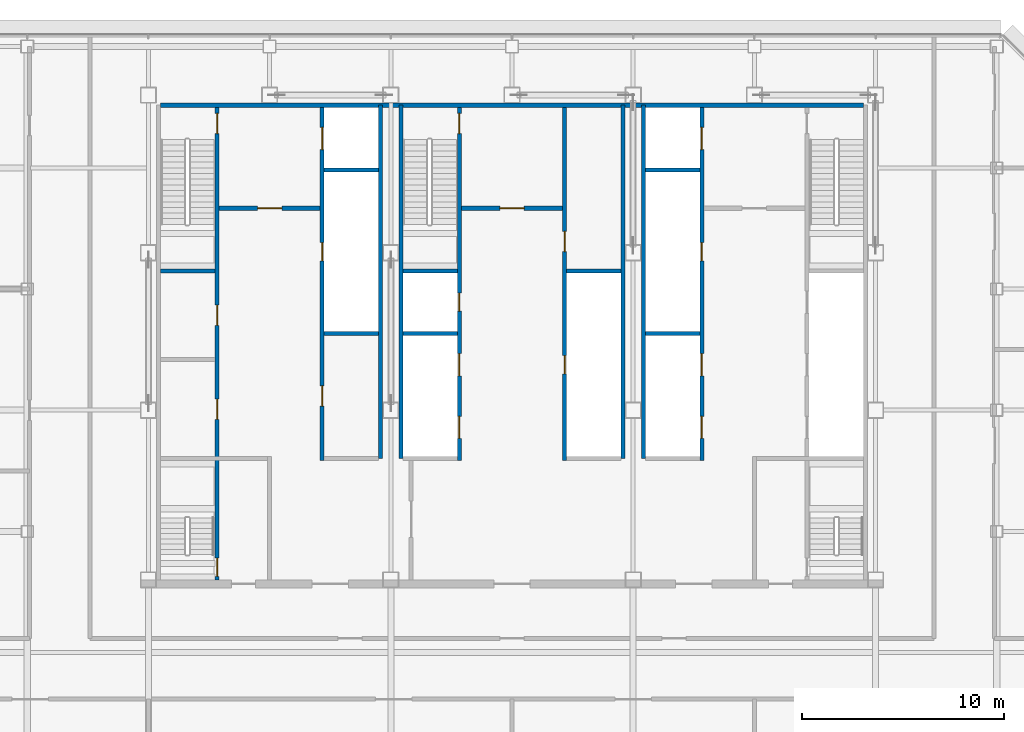
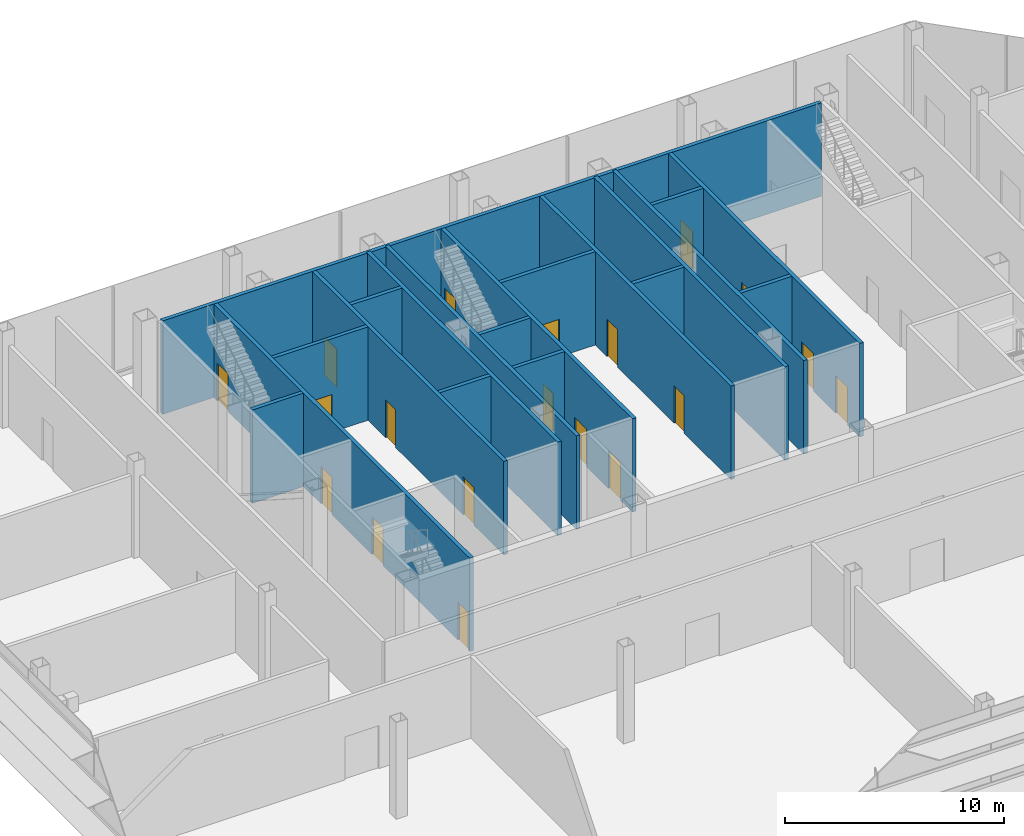
# One storey, part 19 of 25: 20 walls, 19 doors, 19 openings.
"""IFC4 building model written with IfcOpenShell, lengths in metres."""

from ifc_helpers import new_model, si_unit, direction, frame, frame_2d, origin, place, context, subcontext, project, spatial, rectangle, extrude, material, layer, layer_set, type_object, element, fill, save


model = new_model("IFC4")

# Units and contexts
model_context = context("Model", 3, precision=1e-05, world=origin(), true_north=direction((0.0, 1.0)))
body_context = subcontext(model_context, "Body", "Model", "MODEL_VIEW")
ifc_project = project(units=[si_unit("LENGTHUNIT", "METRE"), si_unit("AREAUNIT", "SQUARE_METRE"), si_unit("VOLUMEUNIT", "CUBIC_METRE"), si_unit("PLANEANGLEUNIT", "RADIAN"), si_unit("MASSUNIT", "GRAM", prefix="KILO")], contexts=[model_context])

# Site, building, storey
site_placement = place(None, origin())
site = spatial("IfcSite", under=ifc_project, at=site_placement, CompositionType="ELEMENT")
building_placement = place(site_placement, origin())
building = spatial("IfcBuilding", under=site, at=building_placement, Name="Sorahane Residences", CompositionType="ELEMENT")
storey_placement = place(building_placement, frame((0.0, 0.0, 210.0)))
storey = spatial("IfcBuildingStorey", under=building, at=storey_placement, Name="L49", CompositionType="ELEMENT", Elevation=210.0)

# Walls
ifc_material_1 = material(Name="Concrete C30", Category="concrete")
ifc_layer_1 = layer(ifc_material_1, 0.199951171875)
ifc_layer_set_1 = layer_set([ifc_layer_1], Name="Core face wall 200 EI 180")
wall_type_1 = type_object("IfcWallType", Name="Core face wall 200 EI 180", PredefinedType="SOLIDWALL", material=ifc_layer_set_1)
wall_1_placement = place(storey_placement, frame((6.60009765625, 45.10009765625, 0.0), z_axis=(0.0, 0.0, 1.0), x_axis=(1.0, 0.0, 0.0)))
element("IfcWall", 1, at=wall_1_placement, inside=storey, type_object=wall_type_1, Name="L49 core face wall", PredefinedType="SOLIDWALL", context=body_context, shape_type="SweptSolid", body=[
    extrude(rectangle(XDim=34.7998046875, YDim=0.199951171875, at=frame_2d((17.39990234375, 0.0))), origin(), (0.0, 0.0, 1.0), 5.219970703125),
])
for number, where, z_axis, x_axis, name in (
    (2, (17.5, 27.60009765625, 0.0), (0.0, 0.0, 1.0), (0.0, 1.0, 0.0), "L49 core face wall"),
    (3, (18.5, 27.60009765625, 0.0), (0.0, 0.0, 1.0), (0.0, 1.0, 0.0), "L49 core face wall"),
    (4, (29.5, 27.60009765625, 0.0), (0.0, 0.0, 1.0), (0.0, 1.0, 0.0), "L49 core face wall"),
    (5, (30.5, 27.60009765625, 0.0), (0.0, 0.0, 1.0), (0.0, 1.0, 0.0), "L49 core face wall"),
):
    element("IfcWall", number, at=place(storey_placement, frame(where, z_axis=z_axis, x_axis=x_axis)), inside=storey, type_object=wall_type_1, Name=name, PredefinedType="SOLIDWALL", context=body_context, shape_type="SweptSolid", body=[
        extrude(rectangle(XDim=17.5, YDim=0.199951171875, at=frame_2d((8.75, 0.0))), origin(), (0.0, 0.0, 1.0), 5.219970703125),
    ])

# Wall, opening, door
ifc_material_2 = material(Name="Concrete C30", Category="concrete")
ifc_layer_2 = layer(ifc_material_2, 0.199951171875)
ifc_layer_set_2 = layer_set([ifc_layer_2], Name="Front room wall 200 EI 120")
wall_type_2 = type_object("IfcWallType", Name="Front room wall 200 EI 120", PredefinedType="PARTITIONING", material=ifc_layer_set_2)
wall_2_placement = place(storey_placement, frame((21.5, 40.0, 0.0), z_axis=(0.0, 0.0, 1.0), x_axis=(1.0, 0.0, 0.0)))
wall_2 = element("IfcWall", 6, at=wall_2_placement, inside=storey, type_object=wall_type_2, Name="L49 front room wall", PredefinedType="PARTITIONING", context=body_context, shape_type="SweptSolid", body=[
    extrude(rectangle(XDim=5.0, YDim=0.199951171875, at=frame_2d((2.5, 0.0))), origin(), (0.0, 0.0, 1.0), 5.219970703125),
])
opening_1_placement = place(wall_2_placement, frame((1.89990234375, 0.0, 0.0)))
opening_1 = element("IfcOpeningElement", 7, at=opening_1_placement, cuts=wall_2, Name="Opening L49-C08", PredefinedType="OPENING", context=body_context, shape_type="SweptSolid", body=[
    extrude(rectangle(XDim=1.199951171875, YDim=2.10009765625, at=frame_2d((0.60009765625, 1.050048828125))), frame((0.0, 0.10986328125, 0.0), z_axis=(0.0, -1.0, 0.0), x_axis=(1.0, 0.0, 0.0)), (0.0, 0.0, 1.0), 0.219970703125),
])
ifc_material_3 = material(Name="Steel", Category="steel")
door_type_1 = type_object("IfcDoorType", Name="Front room door 1200x2100 FD120", OperationType="NOTDEFINED", PredefinedType="DOOR", material=ifc_material_3)
door_1_placement = place(opening_1_placement, frame((1.199951171875, 0.0, 0.0), z_axis=(0.0, 0.0, 1.0), x_axis=(-1.0, 0.0, 0.0)))
door_1 = element("IfcDoor", 8, at=door_1_placement, inside=storey, type_object=door_type_1, Name="Front room door Stair S3 vestibule L49", OperationType="DOUBLE_DOOR_SINGLE_SWING", OverallHeight=2.10009765625, OverallWidth=1.199951171875, PredefinedType="DOOR", context=body_context, shape_type="SweptSolid", body=[
    extrude(rectangle(XDim=1.199951171875, YDim=2.10009765625, at=frame_2d((0.60009765625, 1.050048828125))), frame((0.0, 0.02490234375, 0.0), z_axis=(0.0, -1.0, 0.0), x_axis=(1.0, 0.0, 0.0)), (0.0, 0.0, 1.0), 0.050048828125),
])
fill(opening_1, door_1)

wall_3_placement = place(storey_placement, frame((9.5, 40.0, 0.0), z_axis=(0.0, 0.0, 1.0), x_axis=(1.0, 0.0, 0.0)))
wall_3 = element("IfcWall", 9, at=wall_3_placement, inside=storey, type_object=wall_type_2, Name="L49 front room wall", PredefinedType="PARTITIONING", context=body_context, shape_type="SweptSolid", body=[
    extrude(rectangle(XDim=5.0, YDim=0.199951171875, at=frame_2d((2.5, 0.0))), origin(), (0.0, 0.0, 1.0), 5.219970703125),
])
opening_2_placement = place(wall_3_placement, frame((1.89990234375, 0.0, 0.0)))
opening_2 = element("IfcOpeningElement", 10, at=opening_2_placement, cuts=wall_3, Name="Opening L49-C07", PredefinedType="OPENING", context=body_context, shape_type="SweptSolid", body=[
    extrude(rectangle(XDim=1.199951171875, YDim=2.10009765625, at=frame_2d((0.60009765625, 1.050048828125))), frame((0.0, 0.10986328125, 0.0), z_axis=(0.0, -1.0, 0.0), x_axis=(1.0, 0.0, 0.0)), (0.0, 0.0, 1.0), 0.219970703125),
])
door_2_placement = place(opening_2_placement, frame((1.199951171875, 0.0, 0.0), z_axis=(0.0, 0.0, 1.0), x_axis=(-1.0, 0.0, 0.0)))
door_2 = element("IfcDoor", 11, at=door_2_placement, inside=storey, type_object=door_type_1, Name="Front room door Firefighting lobby FF1 front room L49", OperationType="DOUBLE_DOOR_SINGLE_SWING", OverallHeight=2.10009765625, OverallWidth=1.199951171875, PredefinedType="DOOR", context=body_context, shape_type="SweptSolid", body=[
    extrude(rectangle(XDim=1.199951171875, YDim=2.10009765625, at=frame_2d((0.60009765625, 1.050048828125))), frame((0.0, 0.02490234375, 0.0), z_axis=(0.0, -1.0, 0.0), x_axis=(1.0, 0.0, 0.0)), (0.0, 0.0, 1.0), 0.050048828125),
])
fill(opening_2, door_2)

# Wall, openings, doors
ifc_material_4 = material(Name="Concrete C30", Category="concrete")
ifc_layer_3 = layer(ifc_material_4, 0.199951171875)
ifc_layer_set_3 = layer_set([ifc_layer_3], Name="Lift shaft wall 200 EI 120")
wall_type_3 = type_object("IfcWallType", Name="Lift shaft wall 200 EI 120", PredefinedType="SOLIDWALL", material=ifc_layer_set_3)
wall_4_placement = place(storey_placement, frame((14.60009765625, 27.5, 0.0), z_axis=(0.0, 0.0, 1.0), x_axis=(0.0, 1.0, 0.0)))
wall_4 = element("IfcWall", 12, at=wall_4_placement, inside=storey, type_object=wall_type_3, Name="L49 lift shaft wall", PredefinedType="SOLIDWALL", context=body_context, shape_type="SweptSolid", body=[
    extrude(rectangle(XDim=17.5, YDim=0.199951171875, at=frame_2d((8.75, 0.0))), origin(), (0.0, 0.0, 1.0), 5.219970703125),
])
opening_3_placement = place(wall_4_placement, frame((15.39990234375, 0.0, 0.0)))
opening_3 = element("IfcOpeningElement", 13, at=opening_3_placement, cuts=wall_4, Name="Opening L49-C18", PredefinedType="OPENING", context=body_context, shape_type="SweptSolid", body=[
    extrude(rectangle(XDim=1.10009765625, YDim=2.10009765625, at=frame_2d((0.550048828125, 1.050048828125))), frame((0.0, 0.10986328125, 0.0), z_axis=(0.0, -1.0, 0.0), x_axis=(1.0, 0.0, 0.0)), (0.0, 0.0, 1.0), 0.219970703125),
])
opening_4_placement = place(wall_4_placement, frame((2.699951171875, 0.0, 0.0)))
opening_4 = element("IfcOpeningElement", 14, at=opening_4_placement, cuts=wall_4, Name="Opening L49-C19", PredefinedType="OPENING", context=body_context, shape_type="SweptSolid", body=[
    extrude(rectangle(XDim=1.0, YDim=2.10009765625, at=frame_2d((0.5, 1.050048828125))), frame((0.0, 0.10986328125, 0.0), z_axis=(0.0, -1.0, 0.0), x_axis=(1.0, 0.0, 0.0)), (0.0, 0.0, 1.0), 0.219970703125),
])
opening_5_placement = place(wall_4_placement, frame((9.89990234375, 0.0, 0.0)))
opening_5 = element("IfcOpeningElement", 15, at=opening_5_placement, cuts=wall_4, Name="Opening L49-C27", PredefinedType="OPENING", context=body_context, shape_type="SweptSolid", body=[
    extrude(rectangle(XDim=0.89990234375, YDim=2.10009765625, at=frame_2d((0.449951171875, 1.050048828125))), frame((0.0, 0.10986328125, 0.0), z_axis=(0.0, -1.0, 0.0), x_axis=(1.0, 0.0, 0.0)), (0.0, 0.0, 1.0), 0.219970703125),
])
ifc_material_5 = material(Name="Aluminium and stainless steel", Category="steel")
door_type_2 = type_object("IfcDoorType", Name="Lift landing door 1100x2100 E 60", OperationType="NOTDEFINED", PredefinedType="DOOR", material=ifc_material_5)
door_3_placement = place(opening_3_placement, origin())
door_3 = element("IfcDoor", 16, at=door_3_placement, inside=storey, type_object=door_type_2, Name="Lift landing door FF1 L49", OperationType="DOUBLE_DOOR_SLIDING", OverallHeight=2.10009765625, OverallWidth=1.10009765625, PredefinedType="DOOR", context=body_context, shape_type="SweptSolid", body=[
    extrude(rectangle(XDim=1.10009765625, YDim=2.10009765625, at=frame_2d((0.550048828125, 1.050048828125))), frame((0.0, 0.02490234375, 0.0), z_axis=(0.0, -1.0, 0.0), x_axis=(1.0, 0.0, 0.0)), (0.0, 0.0, 1.0), 0.050048828125),
])
fill(opening_3, door_3)
ifc_material_6 = material(Name="Steel", Category="steel")
door_type_3 = type_object("IfcDoorType", Name="Riser door 900x2100 FD120", OperationType="NOTDEFINED", PredefinedType="DOOR", material=ifc_material_6)
door_4_placement = place(opening_5_placement, origin())
door_4 = element("IfcDoor", 17, at=door_4_placement, inside=storey, type_object=door_type_3, Name="Riser door R1 L49", OperationType="SINGLE_SWING_LEFT", OverallHeight=2.10009765625, OverallWidth=0.89990234375, PredefinedType="DOOR", context=body_context, shape_type="SweptSolid", body=[
    extrude(rectangle(XDim=0.89990234375, YDim=2.10009765625, at=frame_2d((0.449951171875, 1.050048828125))), frame((0.0, 0.02490234375, 0.0), z_axis=(0.0, -1.0, 0.0), x_axis=(1.0, 0.0, 0.0)), (0.0, 0.0, 1.0), 0.050048828125),
])
fill(opening_5, door_4)
ifc_material_7 = material(Name="Steel", Category="steel")
door_type_4 = type_object("IfcDoorType", Name="Service room door 1000x2100 FD60", OperationType="NOTDEFINED", PredefinedType="DOOR", material=ifc_material_7)
door_5_placement = place(opening_4_placement, frame((1.0, 0.0, 0.0), z_axis=(0.0, 0.0, 1.0), x_axis=(-1.0, 0.0, 0.0)))
door_5 = element("IfcDoor", 18, at=door_5_placement, inside=storey, type_object=door_type_4, Name="Service room door Games room L49", OperationType="SINGLE_SWING_RIGHT", OverallHeight=2.10009765625, OverallWidth=1.0, PredefinedType="DOOR", context=body_context, shape_type="SweptSolid", body=[
    extrude(rectangle(XDim=1.0, YDim=2.10009765625, at=frame_2d((0.5, 1.050048828125))), frame((0.0, 0.02490234375, 0.0), z_axis=(0.0, -1.0, 0.0), x_axis=(1.0, 0.0, 0.0)), (0.0, 0.0, 1.0), 0.050048828125),
])
fill(opening_4, door_5)

wall_5_placement = place(storey_placement, frame((33.39990234375, 27.5, 0.0), z_axis=(0.0, 0.0, 1.0), x_axis=(0.0, 1.0, 0.0)))
wall_5 = element("IfcWall", 19, at=wall_5_placement, inside=storey, type_object=wall_type_3, Name="L49 lift shaft wall", PredefinedType="SOLIDWALL", context=body_context, shape_type="SweptSolid", body=[
    extrude(rectangle(XDim=17.5, YDim=0.199951171875, at=frame_2d((8.75, 0.0))), origin(), (0.0, 0.0, 1.0), 5.219970703125),
])
opening_6_placement = place(wall_5_placement, frame((1.10009765625, 0.0, 0.0)))
opening_6 = element("IfcOpeningElement", 20, at=opening_6_placement, cuts=wall_5, Name="Opening L49-C15", PredefinedType="OPENING", context=body_context, shape_type="SweptSolid", body=[
    extrude(rectangle(XDim=1.10009765625, YDim=2.10009765625, at=frame_2d((0.550048828125, 1.050048828125))), frame((0.0, 0.10986328125, 0.0), z_axis=(0.0, -1.0, 0.0), x_axis=(1.0, 0.0, 0.0)), (0.0, 0.0, 1.0), 0.219970703125),
])
opening_7_placement = place(wall_5_placement, frame((4.199951171875, 0.0, 0.0)))
opening_7 = element("IfcOpeningElement", 21, at=opening_7_placement, cuts=wall_5, Name="Opening L49-C16", PredefinedType="OPENING", context=body_context, shape_type="SweptSolid", body=[
    extrude(rectangle(XDim=1.10009765625, YDim=2.10009765625, at=frame_2d((0.550048828125, 1.050048828125))), frame((0.0, 0.10986328125, 0.0), z_axis=(0.0, -1.0, 0.0), x_axis=(1.0, 0.0, 0.0)), (0.0, 0.0, 1.0), 0.219970703125),
])
opening_8_placement = place(wall_5_placement, frame((15.39990234375, 0.0, 0.0)))
opening_8 = element("IfcOpeningElement", 22, at=opening_8_placement, cuts=wall_5, Name="Opening L49-C17", PredefinedType="OPENING", context=body_context, shape_type="SweptSolid", body=[
    extrude(rectangle(XDim=1.10009765625, YDim=2.10009765625, at=frame_2d((0.550048828125, 1.050048828125))), frame((0.0, 0.10986328125, 0.0), z_axis=(0.0, -1.0, 0.0), x_axis=(1.0, 0.0, 0.0)), (0.0, 0.0, 1.0), 0.219970703125),
])
opening_9_placement = place(wall_5_placement, frame((9.89990234375, 0.0, 0.0)))
opening_9 = element("IfcOpeningElement", 23, at=opening_9_placement, cuts=wall_5, Name="Opening L49-C28", PredefinedType="OPENING", context=body_context, shape_type="SweptSolid", body=[
    extrude(rectangle(XDim=0.89990234375, YDim=2.10009765625, at=frame_2d((0.449951171875, 1.050048828125))), frame((0.0, 0.10986328125, 0.0), z_axis=(0.0, -1.0, 0.0), x_axis=(1.0, 0.0, 0.0)), (0.0, 0.0, 1.0), 0.219970703125),
])
door_6_placement = place(opening_6_placement, origin())
door_6 = element("IfcDoor", 24, at=door_6_placement, inside=storey, type_object=door_type_2, Name="Lift landing door HR4 L49", OperationType="DOUBLE_DOOR_SLIDING", OverallHeight=2.10009765625, OverallWidth=1.10009765625, PredefinedType="DOOR", context=body_context, shape_type="SweptSolid", body=[
    extrude(rectangle(XDim=1.10009765625, YDim=2.10009765625, at=frame_2d((0.550048828125, 1.050048828125))), frame((0.0, 0.02490234375, 0.0), z_axis=(0.0, -1.0, 0.0), x_axis=(1.0, 0.0, 0.0)), (0.0, 0.0, 1.0), 0.050048828125),
])
fill(opening_6, door_6)
door_7_placement = place(opening_7_placement, origin())
door_7 = element("IfcDoor", 25, at=door_7_placement, inside=storey, type_object=door_type_2, Name="Lift landing door HR5 L49", OperationType="DOUBLE_DOOR_SLIDING", OverallHeight=2.10009765625, OverallWidth=1.10009765625, PredefinedType="DOOR", context=body_context, shape_type="SweptSolid", body=[
    extrude(rectangle(XDim=1.10009765625, YDim=2.10009765625, at=frame_2d((0.550048828125, 1.050048828125))), frame((0.0, 0.02490234375, 0.0), z_axis=(0.0, -1.0, 0.0), x_axis=(1.0, 0.0, 0.0)), (0.0, 0.0, 1.0), 0.050048828125),
])
fill(opening_7, door_7)
door_8_placement = place(opening_8_placement, origin())
door_8 = element("IfcDoor", 26, at=door_8_placement, inside=storey, type_object=door_type_2, Name="Lift landing door FF2 L49", OperationType="DOUBLE_DOOR_SLIDING", OverallHeight=2.10009765625, OverallWidth=1.10009765625, PredefinedType="DOOR", context=body_context, shape_type="SweptSolid", body=[
    extrude(rectangle(XDim=1.10009765625, YDim=2.10009765625, at=frame_2d((0.550048828125, 1.050048828125))), frame((0.0, 0.02490234375, 0.0), z_axis=(0.0, -1.0, 0.0), x_axis=(1.0, 0.0, 0.0)), (0.0, 0.0, 1.0), 0.050048828125),
])
fill(opening_8, door_8)
door_9_placement = place(opening_9_placement, frame((0.89990234375, 0.0, 0.0), z_axis=(0.0, 0.0, 1.0), x_axis=(-1.0, 0.0, 0.0)))
door_9 = element("IfcDoor", 27, at=door_9_placement, inside=storey, type_object=door_type_3, Name="Riser door R2 L49", OperationType="SINGLE_SWING_LEFT", OverallHeight=2.10009765625, OverallWidth=0.89990234375, PredefinedType="DOOR", context=body_context, shape_type="SweptSolid", body=[
    extrude(rectangle(XDim=0.89990234375, YDim=2.10009765625, at=frame_2d((0.449951171875, 1.050048828125))), frame((0.0, 0.02490234375, 0.0), z_axis=(0.0, -1.0, 0.0), x_axis=(1.0, 0.0, 0.0)), (0.0, 0.0, 1.0), 0.050048828125),
])
fill(opening_9, door_9)

# Walls
for number, where, z_axis, x_axis, name in (
    (28, (18.60009765625, 33.800048828125, 0.0), (0.0, 0.0, 1.0), (1.0, 0.0, 0.0), "L49 lift shaft wall"),
    (29, (30.60009765625, 33.800048828125, 0.0), (0.0, 0.0, 1.0), (1.0, 0.0, 0.0), "L49 lift shaft wall"),
    (30, (14.699951171875, 41.89990234375, 0.0), (0.0, 0.0, 1.0), (1.0, 0.0, 0.0), "L49 lift shaft wall"),
    (31, (30.60009765625, 41.89990234375, 0.0), (0.0, 0.0, 1.0), (1.0, 0.0, 0.0), "L49 lift shaft wall"),
):
    element("IfcWall", number, at=place(storey_placement, frame(where, z_axis=z_axis, x_axis=x_axis)), inside=storey, type_object=wall_type_3, Name=name, PredefinedType="SOLIDWALL", context=body_context, shape_type="SweptSolid", body=[
        extrude(rectangle(XDim=2.699951171875, YDim=0.199951171875, at=frame_2d((1.35009765625, 0.0))), origin(), (0.0, 0.0, 1.0), 5.219970703125),
    ])

# Wall, openings, doors
ifc_material_8 = material(Name="Concrete C30", Category="concrete")
ifc_layer_4 = layer(ifc_material_8, 0.199951171875)
ifc_layer_set_4 = layer_set([ifc_layer_4], Name="Riser shaft wall 200 EI 120")
wall_type_4 = type_object("IfcWallType", Name="Riser shaft wall 200 EI 120", PredefinedType="SOLIDWALL", material=ifc_layer_set_4)
wall_6_placement = place(storey_placement, frame((26.60009765625, 27.5, 0.0), z_axis=(0.0, 0.0, 1.0), x_axis=(0.0, 1.0, 0.0)))
wall_6 = element("IfcWall", 32, at=wall_6_placement, inside=storey, type_object=wall_type_4, Name="L49 riser wall", PredefinedType="SOLIDWALL", context=body_context, shape_type="SweptSolid", body=[
    extrude(rectangle(XDim=17.5, YDim=0.199951171875, at=frame_2d((8.75, 0.0))), origin(), (0.0, 0.0, 1.0), 5.219970703125),
])
opening_10_placement = place(wall_6_placement, frame((4.300048828125, 0.0, 0.0)))
opening_10 = element("IfcOpeningElement", 33, at=opening_10_placement, cuts=wall_6, Name="Opening L49-C30", PredefinedType="OPENING", context=body_context, shape_type="SweptSolid", body=[
    extrude(rectangle(XDim=0.89990234375, YDim=2.10009765625, at=frame_2d((0.449951171875, 1.050048828125))), frame((0.0, 0.10986328125, 0.0), z_axis=(0.0, -1.0, 0.0), x_axis=(1.0, 0.0, 0.0)), (0.0, 0.0, 1.0), 0.219970703125),
])
opening_11_placement = place(wall_6_placement, frame((10.35009765625, 0.0, 0.0)))
opening_11 = element("IfcOpeningElement", 34, at=opening_11_placement, cuts=wall_6, Name="Opening L49-C31", PredefinedType="OPENING", context=body_context, shape_type="SweptSolid", body=[
    extrude(rectangle(XDim=1.0, YDim=2.10009765625, at=frame_2d((0.5, 1.050048828125))), frame((0.0, 0.10986328125, 0.0), z_axis=(0.0, -1.0, 0.0), x_axis=(1.0, 0.0, 0.0)), (0.0, 0.0, 1.0), 0.219970703125),
])
door_10_placement = place(opening_10_placement, origin())
door_10 = element("IfcDoor", 35, at=door_10_placement, inside=storey, type_object=door_type_3, Name="Riser door R4 L49", OperationType="SINGLE_SWING_LEFT", OverallHeight=2.10009765625, OverallWidth=0.89990234375, PredefinedType="DOOR", context=body_context, shape_type="SweptSolid", body=[
    extrude(rectangle(XDim=0.89990234375, YDim=2.10009765625, at=frame_2d((0.449951171875, 1.050048828125))), frame((0.0, 0.02490234375, 0.0), z_axis=(0.0, -1.0, 0.0), x_axis=(1.0, 0.0, 0.0)), (0.0, 0.0, 1.0), 0.050048828125),
])
fill(opening_10, door_10)
door_11_placement = place(opening_11_placement, frame((1.0, 0.0, 0.0), z_axis=(0.0, 0.0, 1.0), x_axis=(-1.0, 0.0, 0.0)))
door_11 = element("IfcDoor", 36, at=door_11_placement, inside=storey, type_object=door_type_4, Name="Service room door Housekeeping store L49", OperationType="SINGLE_SWING_LEFT", OverallHeight=2.10009765625, OverallWidth=1.0, PredefinedType="DOOR", context=body_context, shape_type="SweptSolid", body=[
    extrude(rectangle(XDim=1.0, YDim=2.10009765625, at=frame_2d((0.5, 1.050048828125))), frame((0.0, 0.02490234375, 0.0), z_axis=(0.0, -1.0, 0.0), x_axis=(1.0, 0.0, 0.0)), (0.0, 0.0, 1.0), 0.050048828125),
])
fill(opening_11, door_11)

# Walls
for number, where, z_axis, x_axis, name in (
    (37, (14.699951171875, 33.800048828125, 0.0), (0.0, 0.0, 1.0), (1.0, 0.0, 0.0), "L49 riser wall"),
    (38, (26.699951171875, 36.89990234375, 0.0), (0.0, 0.0, 1.0), (1.0, 0.0, 0.0), "L49 riser wall"),
):
    element("IfcWall", number, at=place(storey_placement, frame(where, z_axis=z_axis, x_axis=x_axis)), inside=storey, type_object=wall_type_4, Name=name, PredefinedType="SOLIDWALL", context=body_context, shape_type="SweptSolid", body=[
        extrude(rectangle(XDim=2.699951171875, YDim=0.199951171875, at=frame_2d((1.35009765625, 0.0))), origin(), (0.0, 0.0, 1.0), 5.219970703125),
    ])

# Wall, openings, doors
ifc_material_9 = material(Name="Concrete C30", Category="concrete")
ifc_layer_5 = layer(ifc_material_9, 0.199951171875)
ifc_layer_set_5 = layer_set([ifc_layer_5], Name="Stair enclosure wall 200 EI 120")
wall_type_5 = type_object("IfcWallType", Name="Stair enclosure wall 200 EI 120", PredefinedType="SOLIDWALL", material=ifc_layer_set_5)
wall_7_placement = place(storey_placement, frame((21.39990234375, 27.5, 0.0), z_axis=(0.0, 0.0, 1.0), x_axis=(0.0, 1.0, 0.0)))
wall_7 = element("IfcWall", 39, at=wall_7_placement, inside=storey, type_object=wall_type_5, Name="L49 stair enclosure wall", PredefinedType="SOLIDWALL", context=body_context, shape_type="SweptSolid", body=[
    extrude(rectangle(XDim=17.5, YDim=0.199951171875, at=frame_2d((8.75, 0.0))), origin(), (0.0, 0.0, 1.0), 5.219970703125),
])
opening_12_placement = place(wall_7_placement, frame((1.10009765625, 0.0, 0.0)))
opening_12 = element("IfcOpeningElement", 40, at=opening_12_placement, cuts=wall_7, Name="Opening L49-C10", PredefinedType="OPENING", context=body_context, shape_type="SweptSolid", body=[
    extrude(rectangle(XDim=1.10009765625, YDim=2.10009765625, at=frame_2d((0.550048828125, 1.050048828125))), frame((0.0, 0.10986328125, 0.0), z_axis=(0.0, -1.0, 0.0), x_axis=(1.0, 0.0, 0.0)), (0.0, 0.0, 1.0), 0.219970703125),
])
opening_13_placement = place(wall_7_placement, frame((4.199951171875, 0.0, 0.0)))
opening_13 = element("IfcOpeningElement", 41, at=opening_13_placement, cuts=wall_7, Name="Opening L49-C11", PredefinedType="OPENING", context=body_context, shape_type="SweptSolid", body=[
    extrude(rectangle(XDim=1.10009765625, YDim=2.10009765625, at=frame_2d((0.550048828125, 1.050048828125))), frame((0.0, 0.10986328125, 0.0), z_axis=(0.0, -1.0, 0.0), x_axis=(1.0, 0.0, 0.0)), (0.0, 0.0, 1.0), 0.219970703125),
])
opening_14_placement = place(wall_7_placement, frame((16.199951171875, 0.0, 0.0)))
opening_14 = element("IfcOpeningElement", 42, at=opening_14_placement, cuts=wall_7, Name="Opening L49-C24", PredefinedType="OPENING", context=body_context, shape_type="SweptSolid", body=[
    extrude(rectangle(XDim=1.0, YDim=2.10009765625, at=frame_2d((0.5, 1.050048828125))), frame((0.0, 0.10986328125, 0.0), z_axis=(0.0, -1.0, 0.0), x_axis=(1.0, 0.0, 0.0)), (0.0, 0.0, 1.0), 0.219970703125),
])
opening_15_placement = place(wall_7_placement, frame((7.39990234375, 0.0, 0.0)))
opening_15 = element("IfcOpeningElement", 43, at=opening_15_placement, cuts=wall_7, Name="Opening L49-C29", PredefinedType="OPENING", context=body_context, shape_type="SweptSolid", body=[
    extrude(rectangle(XDim=0.89990234375, YDim=2.10009765625, at=frame_2d((0.449951171875, 1.050048828125))), frame((0.0, 0.10986328125, 0.0), z_axis=(0.0, -1.0, 0.0), x_axis=(1.0, 0.0, 0.0)), (0.0, 0.0, 1.0), 0.219970703125),
])
door_12_placement = place(opening_12_placement, origin())
door_12 = element("IfcDoor", 44, at=door_12_placement, inside=storey, type_object=door_type_2, Name="Lift landing door SH1 L49", OperationType="DOUBLE_DOOR_SLIDING", OverallHeight=2.10009765625, OverallWidth=1.10009765625, PredefinedType="DOOR", context=body_context, shape_type="SweptSolid", body=[
    extrude(rectangle(XDim=1.10009765625, YDim=2.10009765625, at=frame_2d((0.550048828125, 1.050048828125))), frame((0.0, 0.02490234375, 0.0), z_axis=(0.0, -1.0, 0.0), x_axis=(1.0, 0.0, 0.0)), (0.0, 0.0, 1.0), 0.050048828125),
])
fill(opening_12, door_12)
door_13_placement = place(opening_13_placement, origin())
door_13 = element("IfcDoor", 45, at=door_13_placement, inside=storey, type_object=door_type_2, Name="Lift landing door SH2 L49", OperationType="DOUBLE_DOOR_SLIDING", OverallHeight=2.10009765625, OverallWidth=1.10009765625, PredefinedType="DOOR", context=body_context, shape_type="SweptSolid", body=[
    extrude(rectangle(XDim=1.10009765625, YDim=2.10009765625, at=frame_2d((0.550048828125, 1.050048828125))), frame((0.0, 0.02490234375, 0.0), z_axis=(0.0, -1.0, 0.0), x_axis=(1.0, 0.0, 0.0)), (0.0, 0.0, 1.0), 0.050048828125),
])
fill(opening_13, door_13)
door_14_placement = place(opening_15_placement, frame((0.89990234375, 0.0, 0.0), z_axis=(0.0, 0.0, 1.0), x_axis=(-1.0, 0.0, 0.0)))
door_14 = element("IfcDoor", 46, at=door_14_placement, inside=storey, type_object=door_type_3, Name="Riser door R3 L49", OperationType="SINGLE_SWING_LEFT", OverallHeight=2.10009765625, OverallWidth=0.89990234375, PredefinedType="DOOR", context=body_context, shape_type="SweptSolid", body=[
    extrude(rectangle(XDim=0.89990234375, YDim=2.10009765625, at=frame_2d((0.449951171875, 1.050048828125))), frame((0.0, 0.02490234375, 0.0), z_axis=(0.0, -1.0, 0.0), x_axis=(1.0, 0.0, 0.0)), (0.0, 0.0, 1.0), 0.050048828125),
])
fill(opening_15, door_14)
ifc_material_10 = material(Name="Steel", Category="steel")
door_type_5 = type_object("IfcDoorType", Name="Stair door 1000x2100 FD120", OperationType="NOTDEFINED", PredefinedType="DOOR", material=ifc_material_10)
door_15_placement = place(opening_14_placement, origin())
door_15 = element("IfcDoor", 47, at=door_15_placement, inside=storey, type_object=door_type_5, Name="Stair door S3 L49", OperationType="SINGLE_SWING_LEFT", OverallHeight=2.10009765625, OverallWidth=1.0, PredefinedType="DOOR", context=body_context, shape_type="SweptSolid", body=[
    extrude(rectangle(XDim=1.0, YDim=2.10009765625, at=frame_2d((0.5, 1.050048828125))), frame((0.0, 0.02490234375, 0.0), z_axis=(0.0, -1.0, 0.0), x_axis=(1.0, 0.0, 0.0)), (0.0, 0.0, 1.0), 0.050048828125),
])
fill(opening_14, door_15)

wall_8_placement = place(storey_placement, frame((9.39990234375, 21.60009765625, 0.0), z_axis=(0.0, 0.0, 1.0), x_axis=(0.0, 1.0, 0.0)))
wall_8 = element("IfcWall", 48, at=wall_8_placement, inside=storey, type_object=wall_type_5, Name="L49 stair enclosure wall", PredefinedType="SOLIDWALL", context=body_context, shape_type="SweptSolid", body=[
    extrude(rectangle(XDim=23.39990234375, YDim=0.199951171875, at=frame_2d((11.699951171875, 0.0))), origin(), (0.0, 0.0, 1.0), 5.219970703125),
])
opening_16_placement = place(wall_8_placement, frame((7.949951171875, 0.0, 0.0)))
opening_16 = element("IfcOpeningElement", 49, at=opening_16_placement, cuts=wall_8, Name="Opening L49-C20", PredefinedType="OPENING", context=body_context, shape_type="SweptSolid", body=[
    extrude(rectangle(XDim=1.0, YDim=2.10009765625, at=frame_2d((0.5, 1.050048828125))), frame((0.0, 0.10986328125, 0.0), z_axis=(0.0, -1.0, 0.0), x_axis=(1.0, 0.0, 0.0)), (0.0, 0.0, 1.0), 0.219970703125),
])
opening_17_placement = place(wall_8_placement, frame((12.60009765625, 0.0, 0.0)))
opening_17 = element("IfcOpeningElement", 50, at=opening_17_placement, cuts=wall_8, Name="Opening L49-C21", PredefinedType="OPENING", context=body_context, shape_type="SweptSolid", body=[
    extrude(rectangle(XDim=1.0, YDim=2.10009765625, at=frame_2d((0.5, 1.050048828125))), frame((0.0, 0.10986328125, 0.0), z_axis=(0.0, -1.0, 0.0), x_axis=(1.0, 0.0, 0.0)), (0.0, 0.0, 1.0), 0.219970703125),
])
opening_18_placement = place(wall_8_placement, frame((22.10009765625, 0.0, 0.0)))
opening_18 = element("IfcOpeningElement", 51, at=opening_18_placement, cuts=wall_8, Name="Opening L49-C22", PredefinedType="OPENING", context=body_context, shape_type="SweptSolid", body=[
    extrude(rectangle(XDim=1.0, YDim=2.10009765625, at=frame_2d((0.5, 1.050048828125))), frame((0.0, 0.10986328125, 0.0), z_axis=(0.0, -1.0, 0.0), x_axis=(1.0, 0.0, 0.0)), (0.0, 0.0, 1.0), 0.219970703125),
])
opening_19_placement = place(wall_8_placement, frame((0.175048828125, 0.0, 0.0)))
opening_19 = element("IfcOpeningElement", 52, at=opening_19_placement, cuts=wall_8, Name="Opening L49-C25", PredefinedType="OPENING", context=body_context, shape_type="SweptSolid", body=[
    extrude(rectangle(XDim=0.89990234375, YDim=2.10009765625, at=frame_2d((0.449951171875, 1.050048828125))), frame((0.0, 0.10986328125, 0.0), z_axis=(0.0, -1.0, 0.0), x_axis=(1.0, 0.0, 0.0)), (0.0, 0.0, 1.0), 0.219970703125),
])
door_16_placement = place(opening_16_placement, origin())
door_16 = element("IfcDoor", 53, at=door_16_placement, inside=storey, type_object=door_type_4, Name="Service room door Games room L49", OperationType="SINGLE_SWING_LEFT", OverallHeight=2.10009765625, OverallWidth=1.0, PredefinedType="DOOR", context=body_context, shape_type="SweptSolid", body=[
    extrude(rectangle(XDim=1.0, YDim=2.10009765625, at=frame_2d((0.5, 1.050048828125))), frame((0.0, 0.02490234375, 0.0), z_axis=(0.0, -1.0, 0.0), x_axis=(1.0, 0.0, 0.0)), (0.0, 0.0, 1.0), 0.050048828125),
])
fill(opening_16, door_16)
door_17_placement = place(opening_17_placement, origin())
door_17 = element("IfcDoor", 54, at=door_17_placement, inside=storey, type_object=door_type_4, Name="Service room door Audio room L49", OperationType="SINGLE_SWING_RIGHT", OverallHeight=2.10009765625, OverallWidth=1.0, PredefinedType="DOOR", context=body_context, shape_type="SweptSolid", body=[
    extrude(rectangle(XDim=1.0, YDim=2.10009765625, at=frame_2d((0.5, 1.050048828125))), frame((0.0, 0.02490234375, 0.0), z_axis=(0.0, -1.0, 0.0), x_axis=(1.0, 0.0, 0.0)), (0.0, 0.0, 1.0), 0.050048828125),
])
fill(opening_17, door_17)
door_18_placement = place(opening_18_placement, origin())
door_18 = element("IfcDoor", 55, at=door_18_placement, inside=storey, type_object=door_type_5, Name="Stair door S1 L49", OperationType="SINGLE_SWING_LEFT", OverallHeight=2.10009765625, OverallWidth=1.0, PredefinedType="DOOR", context=body_context, shape_type="SweptSolid", body=[
    extrude(rectangle(XDim=1.0, YDim=2.10009765625, at=frame_2d((0.5, 1.050048828125))), frame((0.0, 0.02490234375, 0.0), z_axis=(0.0, -1.0, 0.0), x_axis=(1.0, 0.0, 0.0)), (0.0, 0.0, 1.0), 0.050048828125),
])
fill(opening_18, door_18)
ifc_material_11 = material(Name="Steel", Category="steel")
door_type_6 = type_object("IfcDoorType", Name="Stair door 900x2100 FD120", OperationType="NOTDEFINED", PredefinedType="DOOR", material=ifc_material_11)
door_19_placement = place(opening_19_placement, origin())
door_19 = element("IfcDoor", 56, at=door_19_placement, inside=storey, type_object=door_type_6, Name="Stair door S4 L49", OperationType="SINGLE_SWING_LEFT", OverallHeight=2.10009765625, OverallWidth=0.89990234375, PredefinedType="DOOR", context=body_context, shape_type="SweptSolid", body=[
    extrude(rectangle(XDim=0.89990234375, YDim=2.10009765625, at=frame_2d((0.449951171875, 1.050048828125))), frame((0.0, 0.02490234375, 0.0), z_axis=(0.0, -1.0, 0.0), x_axis=(1.0, 0.0, 0.0)), (0.0, 0.0, 1.0), 0.050048828125),
])
fill(opening_19, door_19)

# Walls
for number, where, z_axis, x_axis, name in (
    (57, (18.60009765625, 36.89990234375, 0.0), (0.0, 0.0, 1.0), (1.0, 0.0, 0.0), "L49 stair enclosure wall"),
    (58, (6.60009765625, 36.89990234375, 0.0), (0.0, 0.0, 1.0), (1.0, 0.0, 0.0), "L49 stair enclosure wall"),
):
    element("IfcWall", number, at=place(storey_placement, frame(where, z_axis=z_axis, x_axis=x_axis)), inside=storey, type_object=wall_type_5, Name=name, PredefinedType="SOLIDWALL", context=body_context, shape_type="SweptSolid", body=[
        extrude(rectangle(XDim=2.699951171875, YDim=0.199951171875, at=frame_2d((1.35009765625, 0.0))), origin(), (0.0, 0.0, 1.0), 5.219970703125),
    ])

save(model, "model.ifc")
